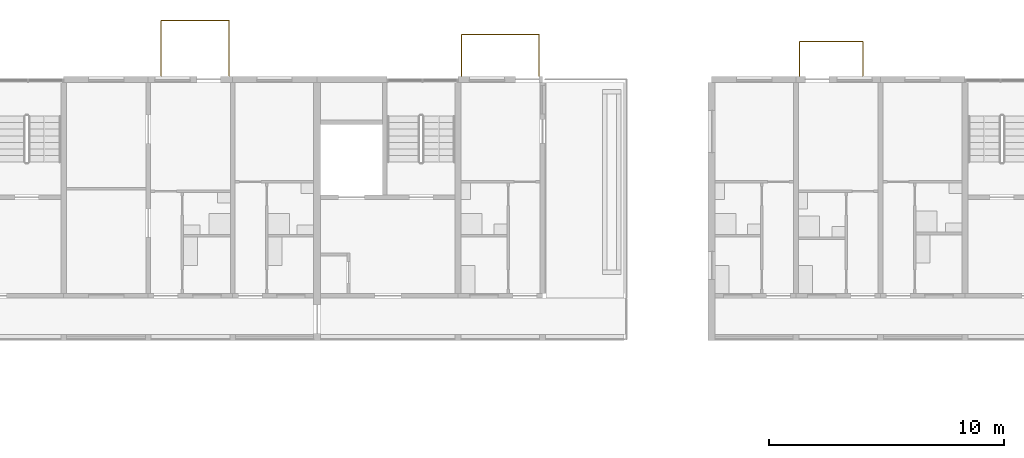
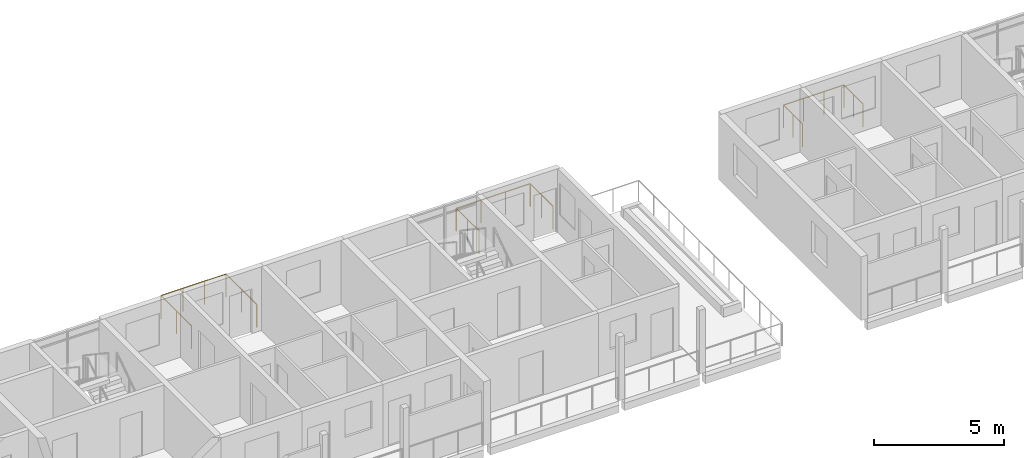
# One storey, part 92 of 94: 3 railings.
"""IFC4 building model written with IfcOpenShell, lengths in metres."""

from ifc_helpers import new_model, si_unit, direction, frame, origin, origin_2d, place, context, subcontext, project, spatial, circle, extrude, material, type_object, element, save


model = new_model("IFC4")

# Units and contexts
model_context = context("Model", 3, precision=1e-05, world=origin(), true_north=direction((0.0, 1.0)))
body_context = subcontext(model_context, "Body", "Model", "MODEL_VIEW")
ifc_project = project(units=[si_unit("LENGTHUNIT", "METRE"), si_unit("AREAUNIT", "SQUARE_METRE"), si_unit("VOLUMEUNIT", "CUBIC_METRE"), si_unit("PLANEANGLEUNIT", "RADIAN"), si_unit("MASSUNIT", "GRAM", prefix="KILO")], contexts=[model_context])

# Site, building, storey
site_placement = place(None, origin())
site = spatial("IfcSite", under=ifc_project, at=site_placement, CompositionType="ELEMENT")
building_placement = place(site_placement, origin())
building = spatial("IfcBuilding", under=site, at=building_placement, Name="Ridgestep Commons", CompositionType="ELEMENT")
storey_placement = place(building_placement, frame((0.0, 0.0, 24.0)))
storey = spatial("IfcBuildingStorey", under=building, at=storey_placement, Name="L08", CompositionType="ELEMENT", Elevation=24.0)

# Railings
ifc_material = material(Name="Weathering steel S355J2W", Category="steel")
railing_type = type_object("IfcRailingType", Name="Tray guard 1100", PredefinedType="GUARDRAIL", material=ifc_material)
railing_1_placement = place(storey_placement, frame((190.551025390625, 77.27099609375, 0.0)))
element("IfcRailing", 1, at=railing_1_placement, inside=storey, type_object=railing_type, Name="Tray guard C3T2-08", PredefinedType="GUARDRAIL", context=body_context, shape_type="SweptSolid", body=[
    extrude(circle(Radius=0.02392578125, at=origin_2d()), frame((0.0, 0.0, 1.076171875), z_axis=(0.0, 1.0, 0.0), x_axis=(-1.0, 0.0, 0.0)), (0.0, 0.0, 1.0), 2.35791015625),
    extrude(circle(Radius=0.02392578125, at=origin_2d()), frame((0.0, 2.35791015625, 1.076171875), z_axis=(1.0, 0.0, 0.0), x_axis=(0.0, 1.0, 0.0)), (0.0, 0.0, 1.0), 2.89794921875),
    extrude(circle(Radius=0.02392578125, at=origin_2d()), frame((2.89794921875, 2.35791015625, 1.076171875), z_axis=(0.0, -1.0, 0.0), x_axis=(1.0, 0.0, 0.0)), (0.0, 0.0, 1.0), 2.35791015625),
    extrude(circle(Radius=0.02099609375, at=origin_2d()), origin(), (0.0, 0.0, 1.0), 1.052001953125),
    extrude(circle(Radius=0.02099609375, at=origin_2d()), frame((0.0, 1.178955078125, 0.0)), (0.0, 0.0, 1.0), 1.052001953125),
    extrude(circle(Radius=0.02099609375, at=origin_2d()), frame((0.0, 2.35791015625, 0.0)), (0.0, 0.0, 1.0), 1.052001953125),
    extrude(circle(Radius=0.02099609375, at=origin_2d()), frame((0.966064453125, 2.35791015625, 0.0)), (0.0, 0.0, 1.0), 1.052001953125),
    extrude(circle(Radius=0.02099609375, at=origin_2d()), frame((1.931884765625, 2.35791015625, 0.0)), (0.0, 0.0, 1.0), 1.052001953125),
    extrude(circle(Radius=0.02099609375, at=origin_2d()), frame((2.89794921875, 2.35791015625, 0.0)), (0.0, 0.0, 1.0), 1.052001953125),
    extrude(circle(Radius=0.02099609375, at=origin_2d()), frame((2.89794921875, 1.178955078125, 0.0)), (0.0, 0.0, 1.0), 1.052001953125),
    extrude(circle(Radius=0.02099609375, at=origin_2d()), frame((2.89794921875, 0.0, 0.0)), (0.0, 0.0, 1.0), 1.052001953125),
])
railing_2_placement = place(storey_placement, frame((217.7509765625, 77.27099609375, 0.0)))
element("IfcRailing", 2, at=railing_2_placement, inside=storey, type_object=railing_type, Name="Tray guard C5T2-08", PredefinedType="GUARDRAIL", context=body_context, shape_type="SweptSolid", body=[
    extrude(circle(Radius=0.02392578125, at=origin_2d()), frame((0.0, 0.0, 1.076171875), z_axis=(0.0, 1.0, 0.0), x_axis=(-1.0, 0.0, 0.0)), (0.0, 0.0, 1.0), 1.4580078125),
    extrude(circle(Radius=0.02392578125, at=origin_2d()), frame((0.0, 1.4580078125, 1.076171875), z_axis=(1.0, 0.0, 0.0), x_axis=(0.0, 1.0, 0.0)), (0.0, 0.0, 1.0), 2.697998046875),
    extrude(circle(Radius=0.02392578125, at=origin_2d()), frame((2.697998046875, 1.4580078125, 1.076171875), z_axis=(0.0, -1.0, 0.0), x_axis=(1.0, 0.0, 0.0)), (0.0, 0.0, 1.0), 1.4580078125),
    extrude(circle(Radius=0.02099609375, at=origin_2d()), origin(), (0.0, 0.0, 1.0), 1.052001953125),
    extrude(circle(Radius=0.02099609375, at=origin_2d()), frame((0.0, 0.72900390625, 0.0)), (0.0, 0.0, 1.0), 1.052001953125),
    extrude(circle(Radius=0.02099609375, at=origin_2d()), frame((0.0, 1.4580078125, 0.0)), (0.0, 0.0, 1.0), 1.052001953125),
    extrude(circle(Radius=0.02099609375, at=origin_2d()), frame((0.8994140625, 1.4580078125, 0.0)), (0.0, 0.0, 1.0), 1.052001953125),
    extrude(circle(Radius=0.02099609375, at=origin_2d()), frame((1.798583984375, 1.4580078125, 0.0)), (0.0, 0.0, 1.0), 1.052001953125),
    extrude(circle(Radius=0.02099609375, at=origin_2d()), frame((2.697998046875, 1.4580078125, 0.0)), (0.0, 0.0, 1.0), 1.052001953125),
    extrude(circle(Radius=0.02099609375, at=origin_2d()), frame((2.697998046875, 0.72900390625, 0.0)), (0.0, 0.0, 1.0), 1.052001953125),
    extrude(circle(Radius=0.02099609375, at=origin_2d()), frame((2.697998046875, 0.0, 0.0)), (0.0, 0.0, 1.0), 1.052001953125),
])
railing_3_placement = place(storey_placement, frame((203.35107421875, 77.27099609375, 0.0)))
element("IfcRailing", 3, at=railing_3_placement, inside=storey, type_object=railing_type, Name="Tray guard C4T3-08", PredefinedType="GUARDRAIL", context=body_context, shape_type="SweptSolid", body=[
    extrude(circle(Radius=0.02392578125, at=origin_2d()), frame((0.0, 0.0, 1.076171875), z_axis=(0.0, 1.0, 0.0), x_axis=(-1.0, 0.0, 0.0)), (0.0, 0.0, 1.0), 1.758056640625),
    extrude(circle(Radius=0.02392578125, at=origin_2d()), frame((0.0, 1.758056640625, 1.076171875), z_axis=(1.0, 0.0, 0.0), x_axis=(0.0, 1.0, 0.0)), (0.0, 0.0, 1.0), 3.2978515625),
    extrude(circle(Radius=0.02392578125, at=origin_2d()), frame((3.2978515625, 1.758056640625, 1.076171875), z_axis=(0.0, -1.0, 0.0), x_axis=(1.0, 0.0, 0.0)), (0.0, 0.0, 1.0), 1.758056640625),
    extrude(circle(Radius=0.02099609375, at=origin_2d()), origin(), (0.0, 0.0, 1.0), 1.052001953125),
    extrude(circle(Radius=0.02099609375, at=origin_2d()), frame((0.0, 0.87890625, 0.0)), (0.0, 0.0, 1.0), 1.052001953125),
    extrude(circle(Radius=0.02099609375, at=origin_2d()), frame((0.0, 1.758056640625, 0.0)), (0.0, 0.0, 1.0), 1.052001953125),
    extrude(circle(Radius=0.02099609375, at=origin_2d()), frame((1.099365234375, 1.758056640625, 0.0)), (0.0, 0.0, 1.0), 1.052001953125),
    extrude(circle(Radius=0.02099609375, at=origin_2d()), frame((2.198486328125, 1.758056640625, 0.0)), (0.0, 0.0, 1.0), 1.052001953125),
    extrude(circle(Radius=0.02099609375, at=origin_2d()), frame((3.2978515625, 1.758056640625, 0.0)), (0.0, 0.0, 1.0), 1.052001953125),
    extrude(circle(Radius=0.02099609375, at=origin_2d()), frame((3.2978515625, 0.87890625, 0.0)), (0.0, 0.0, 1.0), 1.052001953125),
    extrude(circle(Radius=0.02099609375, at=origin_2d()), frame((3.2978515625, 0.0, 0.0)), (0.0, 0.0, 1.0), 1.052001953125),
])

save(model, "model.ifc")
